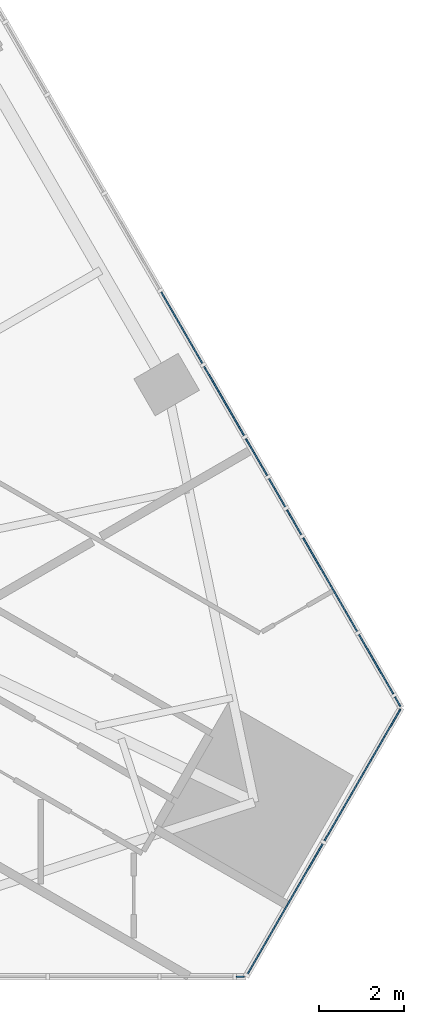
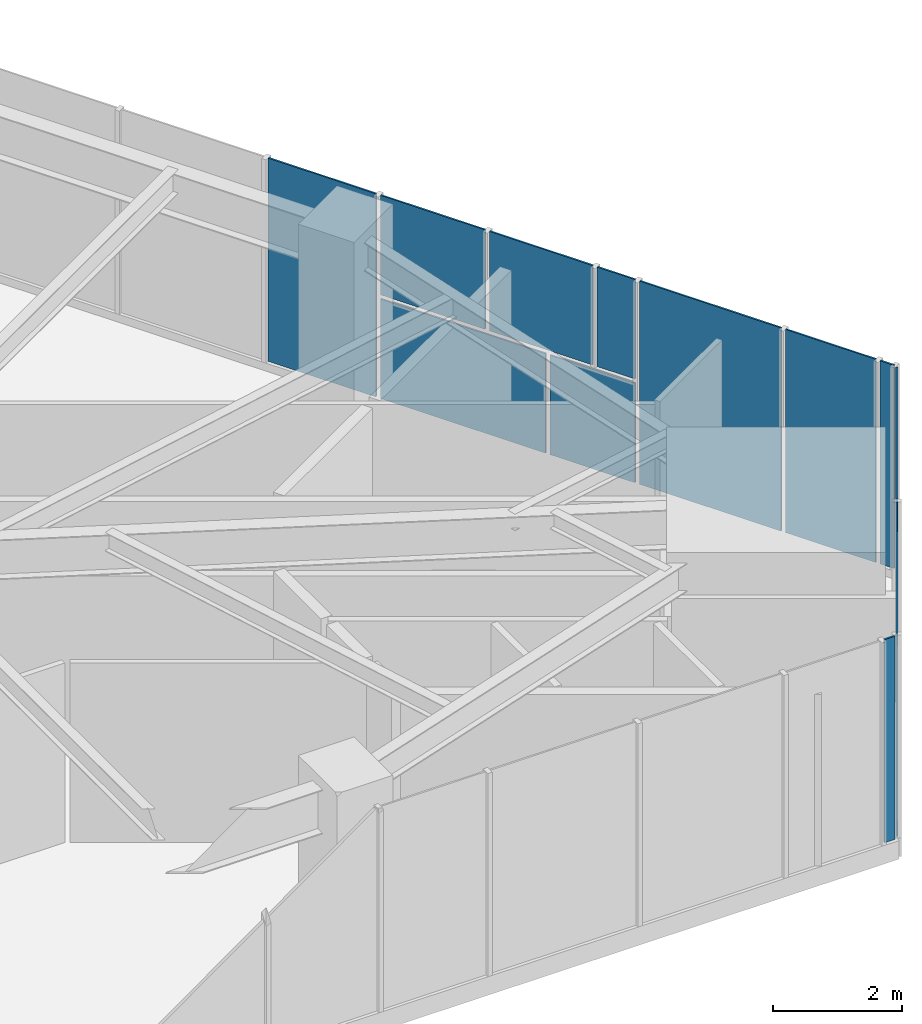
# One storey, part 13 of 22: 12 plates, 3 elements without a shape of their own.
"""IFC4 building model written with IfcOpenShell, lengths in metres."""

from ifc_helpers import new_model, si_unit, direction, frame, origin, place, context, subcontext, project, spatial, polyline, outline, extrude, material, layer, layer_set, type_object, element, aggregate, save


model = new_model("IFC4")

# Units and contexts
model_context = context("Model", 3, precision=1e-05, world=origin(), true_north=direction((0.0, 1.0)))
body_context = subcontext(model_context, "Body", "Model", "MODEL_VIEW")
ifc_project = project(units=[si_unit("LENGTHUNIT", "METRE"), si_unit("AREAUNIT", "SQUARE_METRE"), si_unit("VOLUMEUNIT", "CUBIC_METRE"), si_unit("PLANEANGLEUNIT", "RADIAN"), si_unit("MASSUNIT", "GRAM", prefix="KILO")], contexts=[model_context])

# Site, building, storey
site_placement = place(None, origin())
site = spatial("IfcSite", under=ifc_project, at=site_placement, CompositionType="ELEMENT")
building_placement = place(site_placement, origin())
building = spatial("IfcBuilding", under=site, at=building_placement, Name="Firuza Gate Tower and Library", CompositionType="ELEMENT")
storey_placement = place(building_placement, frame((0.0, 0.0, 132.39990234375)))
storey = spatial("IfcBuildingStorey", under=building, at=storey_placement, Name="L30", CompositionType="ELEMENT", Elevation=132.39990234375)

# Curtain wall, plates
ifc_material_1 = material(Name="Aluminium 6063-T6", Category="aluminium")
ifc_layer_1 = layer(ifc_material_1, 0.14990234375)
ifc_layer_set_1 = layer_set([ifc_layer_1], Name="Corner curtain wall, chamfers")
curtain_wall_type_1 = type_object("IfcCurtainWallType", Name="Corner curtain wall, chamfers", PredefinedType="NOTDEFINED", material=ifc_layer_set_1)
placement = place(storey_placement, origin())
curtain_wall_1 = element("IfcCurtainWall", 1, at=placement, inside=storey, type_object=curtain_wall_type_1, Name="CW4 L30 SE corner", PredefinedType="NOTDEFINED")
ifc_material_2 = material(Name="Fritted glass", Category="glass")
ifc_layer_2 = layer(ifc_material_2, 0.030029296875)
ifc_layer_set_2 = layer_set([ifc_layer_2], Name="Fritted glass unit, corners")
plate_type_1 = type_object("IfcPlateType", Name="Fritted glass unit, corners", PredefinedType="CURTAIN_PANEL", material=ifc_layer_set_2)
plate_1_placement = place(storey_placement, frame((102.89306640625, 54.735107421875, 0.150146484375), z_axis=(0.866016723041, -0.500015035186, 0.0), x_axis=(0.500015035186, 0.866016723041, 0.0)))
plate_1 = element("IfcPlate", 2, at=plate_1_placement, type_object=plate_type_1, Name="Glass unit", PredefinedType="CURTAIN_PANEL", context=body_context, shape_type="SweptSolid", body=[
    extrude(outline(polyline([(0.0, 0.0), (3.5633694106530625, 0.0), (3.5633694106530625, 3.849853515625), (0.0, 3.849853515625), (0.0, 0.0)])), origin(), (0.0, 0.0, -1.0), 0.030029296875),
])
plate_2_placement = place(storey_placement, frame((104.71484375, 57.890380859375, 0.150146484375), z_axis=(0.866046390552, -0.49996364809, 0.0), x_axis=(0.49996364809, 0.866046390552, 0.0)))
plate_2 = element("IfcPlate", 3, at=plate_2_placement, type_object=plate_type_1, Name="Glass unit", PredefinedType="CURTAIN_PANEL", context=body_context, shape_type="SweptSolid", body=[
    extrude(outline(polyline([(0.0, 0.0), (3.563247342942594, 0.0), (3.563247342942594, 3.849853515625), (0.0, 3.849853515625), (0.0, 0.0)])), origin(), (0.0, 0.0, -1.0), 0.030029296875),
])
aggregate(curtain_wall_1, [plate_1, plate_2])

ifc_material_3 = material(Name="Aluminium 6063-T6", Category="aluminium")
ifc_layer_3 = layer(ifc_material_3, 0.14990234375)
ifc_layer_set_3 = layer_set([ifc_layer_3], Name="Unitised curtain wall, offices")
curtain_wall_type_2 = type_object("IfcCurtainWallType", Name="Unitised curtain wall, offices", PredefinedType="NOTDEFINED", material=ifc_layer_set_3)
curtain_wall_2 = element("IfcCurtainWall", 4, at=placement, inside=storey, type_object=curtain_wall_type_2, Name="CW1 L30 E face", PredefinedType="NOTDEFINED")
ifc_material_4 = material(Name="Fritted glass", Category="glass")
ifc_layer_4 = layer(ifc_material_4, 0.030029296875)
ifc_layer_set_4 = layer_set([ifc_layer_4], Name="Fritted glass unit, offices")
plate_type_2 = type_object("IfcPlateType", Name="Fritted glass unit, offices", PredefinedType="CURTAIN_PANEL", material=ifc_layer_set_4)
plate_3_placement = place(storey_placement, frame((106.330810546875, 61.347412109375, 0.150146484375), z_axis=(0.866011950054, 0.50002330182, 0.0), x_axis=(-0.50002330182, 0.866011950054, 0.0)))
plate_3 = element("IfcPlate", 5, at=plate_3_placement, type_object=plate_type_2, Name="Glass unit", PredefinedType="CURTAIN_PANEL", context=body_context, shape_type="SweptSolid", body=[
    extrude(outline(polyline([(0.0, 0.0), (1.6156473612021847, 0.0), (1.6156473612021847, 3.849853515625), (0.0, 3.849853515625), (0.0, 0.0)])), origin(), (0.0, 0.0, -1.0), 0.030029296875),
])
plate_4_placement = place(storey_placement, frame((103.372802734375, 66.470947265625, 0.150146484375), z_axis=(0.866005604176, 0.500034292361, 0.0), x_axis=(-0.500034292361, 0.866005604176, 0.0)))
plate_4 = element("IfcPlate", 6, at=plate_4_placement, type_object=plate_type_2, Name="Glass unit", PredefinedType="CURTAIN_PANEL", context=body_context, shape_type="SweptSolid", body=[
    extrude(outline(polyline([(0.0, 0.0), (2.959269695563523, 0.0), (2.959269695563523, 1.885009765625), (0.0, 1.885009765625), (0.0, 0.0)])), origin(), (0.0, 0.0, -1.0), 0.030029296875),
])
plate_5_placement = place(storey_placement, frame((104.1748046875, 65.081787109375, 2.114990234375), z_axis=(0.865975874628, 0.500085777205, 0.0), x_axis=(-0.500085777205, 0.865975874628, 0.0)))
plate_5 = element("IfcPlate", 7, at=plate_5_placement, type_object=plate_type_2, Name="Glass unit", PredefinedType="CURTAIN_PANEL", context=body_context, shape_type="SweptSolid", body=[
    extrude(outline(polyline([(0.0, 0.0), (0.6785945216171652, 0.0), (0.6785945216171652, 1.885009765625), (0.0, 1.885009765625), (0.0, 0.0)])), origin(), (0.0, 0.0, -1.0), 0.030029296875),
])
plate_6_placement = place(storey_placement, frame((102.83056640625, 67.41015625, 2.114990234375), z_axis=(0.86599040064, 0.500060622324, 0.0), x_axis=(-0.500060622324, 0.86599040064, 0.0)))
plate_6 = element("IfcPlate", 8, at=plate_6_placement, type_object=plate_type_2, Name="Glass unit", PredefinedType="CURTAIN_PANEL", context=body_context, shape_type="SweptSolid", body=[
    extrude(outline(polyline([(0.0, 0.0), (1.8747726938430993, 0.0), (1.8747726938430993, 1.885009765625), (0.0, 1.885009765625), (0.0, 0.0)])), origin(), (0.0, 0.0, -1.0), 0.030029296875),
])
plate_7_placement = place(storey_placement, frame((101.85302734375, 69.10302734375, 0.150146484375), z_axis=(0.866010966864, 0.500025004646, 0.0), x_axis=(-0.500025004646, 0.866010966864, 0.0)))
plate_7 = element("IfcPlate", 9, at=plate_7_placement, type_object=plate_type_2, Name="Glass unit", PredefinedType="CURTAIN_PANEL", context=body_context, shape_type="SweptSolid", body=[
    extrude(outline(polyline([(0.0, 0.0), (1.9325205435160588, 0.0), (1.9325205435160588, 3.849853515625001), (0.0, 3.849853515625001), (0.0, 0.0)])), origin(), (0.0, 0.0, -1.0), 0.030029296875),
])

# Curtain wall, plate
curtain_wall_3 = element("IfcCurtainWall", 10, at=placement, inside=storey, type_object=curtain_wall_type_2, Name="CW1 L30 S face", PredefinedType="NOTDEFINED")
ifc_material_5 = material(Name="Glazed ceramic tile")
ifc_layer_5 = layer(ifc_material_5, 0.030029296875)
ifc_layer_set_5 = layer_set([ifc_layer_5], Name="Opaque ceramic panel, offices")
plate_type_3 = type_object("IfcPlateType", Name="Opaque ceramic panel, offices", PredefinedType="CURTAIN_PANEL", material=ifc_layer_set_5)
plate_8_placement = place(storey_placement, frame((102.634033203125, 54.693115234375, 0.150146484375), z_axis=(0.0, -1.0, 0.0), x_axis=(1.0, 0.0, 0.0)))
plate_8 = element("IfcPlate", 11, at=plate_8_placement, type_object=plate_type_3, Name="Opaque ceramic panel", PredefinedType="CURTAIN_PANEL", context=body_context, shape_type="SweptSolid", body=[
    extrude(outline(polyline([(0.0, 0.0), (0.18603515625, 0.0), (0.18603515625, 3.849853515625), (0.0, 3.849853515625), (0.0, 0.0)])), origin(), (0.0, 0.0, -1.0), 0.030029296875),
])
aggregate(curtain_wall_3, [plate_8])

# Plate
plate_9_placement = place(storey_placement, frame((106.496337890625, 61.060546875, 0.150146484375), z_axis=(0.866201770413, 0.499694399542, 0.0), x_axis=(-0.499694399542, 0.866201770413, 0.0)))
plate_9 = element("IfcPlate", 12, at=plate_9_placement, type_object=plate_type_3, Name="Opaque ceramic panel", PredefinedType="CURTAIN_PANEL", context=body_context, shape_type="SweptSolid", body=[
    extrude(outline(polyline([(0.0, 0.0), (0.25113005341856437, 0.0), (0.25113005341856437, 3.849853515625), (0.0, 3.849853515625), (0.0, 0.0)])), origin(), (0.0, 0.0, -1.0), 0.030029296875),
])

plate_10_placement = place(storey_placement, frame((105.48291015625, 62.81591796875, 0.150146484375), z_axis=(0.866042924943, 0.499969651234, 0.0), x_axis=(-0.499969651234, 0.866042924943, 0.0)))
plate_10 = element("IfcPlate", 13, at=plate_10_placement, type_object=plate_type_3, Name="Opaque ceramic panel", PredefinedType="CURTAIN_PANEL", context=body_context, shape_type="SweptSolid", body=[
    extrude(outline(polyline([(0.0, 0.0), (2.536286758844583, 0.0), (2.536286758844583, 3.849853515625), (0.0, 3.849853515625), (0.0, 0.0)])), origin(), (0.0, 0.0, -1.0), 0.030029296875),
])

plate_11_placement = place(storey_placement, frame((104.1748046875, 65.081787109375, 0.150146484375), z_axis=(0.866036194175, 0.49998131003, 0.0), x_axis=(-0.49998131003, 0.866036194175, 0.0)))
plate_11 = element("IfcPlate", 14, at=plate_11_placement, type_object=plate_type_3, Name="Opaque ceramic panel", PredefinedType="CURTAIN_PANEL", context=body_context, shape_type="SweptSolid", body=[
    extrude(outline(polyline([(0.0, 0.0), (1.5239827476348458, 0.0), (1.5239827476348458, 1.885009765625), (0.0, 1.885009765625), (0.0, 0.0)])), origin(), (0.0, 0.0, -1.0), 0.030029296875),
])

plate_12_placement = place(storey_placement, frame((103.79541015625, 65.73876953125, 2.114990234375), z_axis=(0.866058118026, 0.49994333299, 0.0), x_axis=(-0.49994333299, 0.866058118026, 0.0)))
plate_12 = element("IfcPlate", 15, at=plate_12_placement, type_object=plate_type_3, Name="Opaque ceramic panel", PredefinedType="CURTAIN_PANEL", context=body_context, shape_type="SweptSolid", body=[
    extrude(outline(polyline([(0.0, 0.0), (1.849819022425088, 0.0), (1.849819022425088, 1.8850097656250004), (0.0, 1.8850097656250004), (0.0, 0.0)])), origin(), (0.0, 0.0, -1.0), 0.030029296875),
])

aggregate(curtain_wall_2, [plate_9, plate_3, plate_10, plate_11, plate_4, plate_5, plate_12, plate_6, plate_7])

save(model, "model.ifc")
